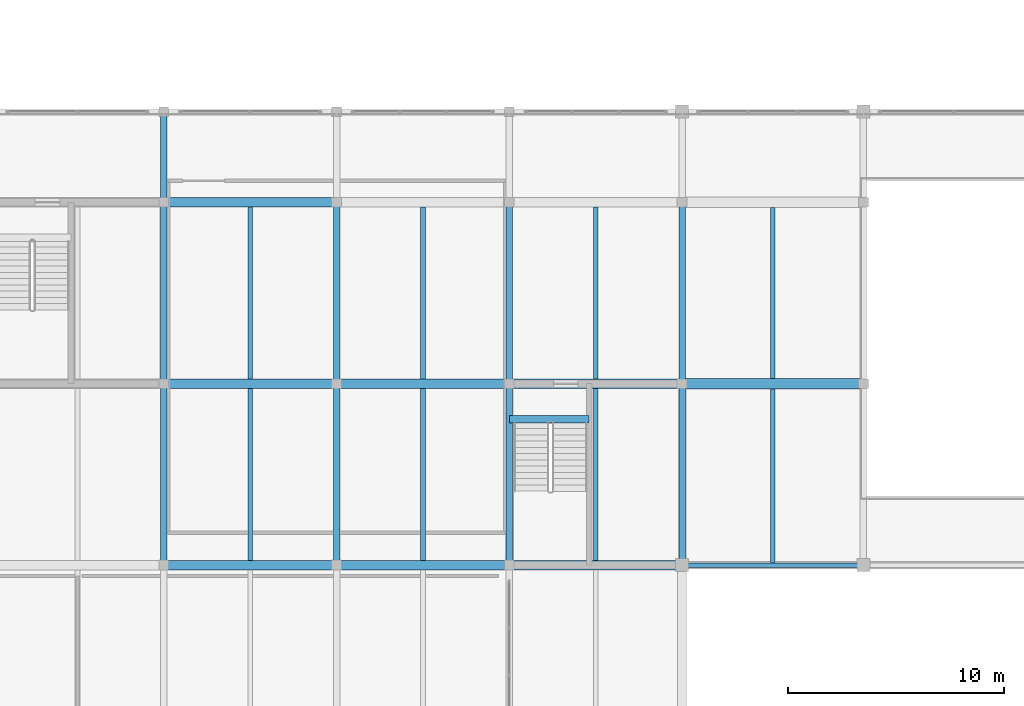
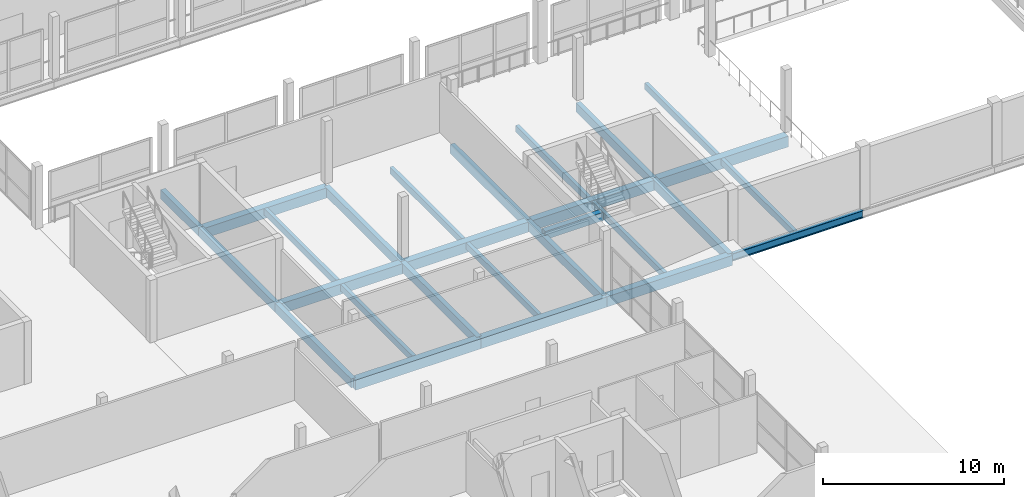
# One storey, part 21 of 53: 27 beams.
"""IFC4 building model written with IfcOpenShell, lengths in metres."""

from ifc_helpers import new_model, si_unit, direction, frame, origin, origin_2d, place, context, subcontext, project, spatial, rectangle, i_section, extrude, material, material_profile, profile_set, type_object, element, save


model = new_model("IFC4")

# Units and contexts
model_context = context("Model", 3, precision=1e-05, world=origin(), true_north=direction((0.0, 1.0)))
body_context = subcontext(model_context, "Body", "Model", "MODEL_VIEW")
ifc_project = project(units=[si_unit("LENGTHUNIT", "METRE"), si_unit("AREAUNIT", "SQUARE_METRE"), si_unit("VOLUMEUNIT", "CUBIC_METRE"), si_unit("PLANEANGLEUNIT", "RADIAN"), si_unit("MASSUNIT", "GRAM", prefix="KILO")], contexts=[model_context])

# Site, building, storey
site_placement = place(None, origin())
site = spatial("IfcSite", under=ifc_project, at=site_placement, CompositionType="ELEMENT")
building_placement = place(site_placement, origin())
building = spatial("IfcBuilding", under=site, at=building_placement, Name="Vharandega Faculty of Natural Sciences", CompositionType="ELEMENT")
storey_placement = place(building_placement, frame((0.0, 0.0, 10.199951171875)))
storey = spatial("IfcBuildingStorey", under=building, at=storey_placement, Name="L02", CompositionType="ELEMENT", Elevation=10.199951171875)

# Beams
ifc_material_1 = material(Name="Glulam GL28h", Category="wood")
ifc_material_profile_1 = material_profile(ifc_material_1, rectangle(XDim=0.300048828125, YDim=0.60009765625, at=origin_2d()), Name="GL28h 300x600")
ifc_profile_set_1 = profile_set([ifc_material_profile_1], Name="Glulam GL28h")
beam_type_1 = type_object("IfcBeamType", Name="Glulam Floor Beam 300x600", PredefinedType="BEAM", material=ifc_profile_set_1)
beam_1_placement = place(storey_placement, frame((32.0, 64.0, -0.579833984375), z_axis=(0.0, 1.0, 0.0), x_axis=(-1.0, 0.0, 0.0)))
element("IfcBeam", 1, at=beam_1_placement, inside=storey, type_object=beam_type_1, Name="Beam L02 5/J-K", PredefinedType="BEAM", context=body_context, shape_type="SweptSolid", body=[
    extrude(rectangle(XDim=0.300048828125, YDim=0.60009765625, at=origin_2d()), origin(), (0.0, 0.0, 1.0), 8.39990234375),
])
beam_2_placement = place(storey_placement, frame((32.0, 72.39990234375, -0.579833984375), z_axis=(0.0, 1.0, 0.0), x_axis=(-1.0, 0.0, 0.0)))
element("IfcBeam", 2, at=beam_2_placement, inside=storey, type_object=beam_type_1, Name="Beam L02 5/K-L", PredefinedType="BEAM", context=body_context, shape_type="SweptSolid", body=[
    extrude(rectangle(XDim=0.300048828125, YDim=0.60009765625, at=origin_2d()), origin(), (0.0, 0.0, 1.0), 8.400146484375),
])
beam_3_placement = place(storey_placement, frame((32.0, 80.800048828125, -0.579833984375), z_axis=(0.0, 1.0, 0.0), x_axis=(-1.0, 0.0, 0.0)))
element("IfcBeam", 3, at=beam_3_placement, inside=storey, type_object=beam_type_1, Name="Beam L02 5/L-M", PredefinedType="BEAM", context=body_context, shape_type="SweptSolid", body=[
    extrude(rectangle(XDim=0.300048828125, YDim=0.60009765625, at=origin_2d()), origin(), (0.0, 0.0, 1.0), 4.199951171875),
])
beam_4_placement = place(storey_placement, frame((40.0, 64.0, -0.579833984375), z_axis=(0.0, 1.0, 0.0), x_axis=(-1.0, 0.0, 0.0)))
element("IfcBeam", 4, at=beam_4_placement, inside=storey, type_object=beam_type_1, Name="Beam L02 6/J-K", PredefinedType="BEAM", context=body_context, shape_type="SweptSolid", body=[
    extrude(rectangle(XDim=0.300048828125, YDim=0.60009765625, at=origin_2d()), origin(), (0.0, 0.0, 1.0), 8.39990234375),
])
beam_5_placement = place(storey_placement, frame((40.0, 72.39990234375, -0.579833984375), z_axis=(0.0, 1.0, 0.0), x_axis=(-1.0, 0.0, 0.0)))
element("IfcBeam", 5, at=beam_5_placement, inside=storey, type_object=beam_type_1, Name="Beam L02 6/K-L", PredefinedType="BEAM", context=body_context, shape_type="SweptSolid", body=[
    extrude(rectangle(XDim=0.300048828125, YDim=0.60009765625, at=origin_2d()), origin(), (0.0, 0.0, 1.0), 8.400146484375),
])
beam_6_placement = place(storey_placement, frame((48.0, 64.0, -0.579833984375), z_axis=(0.0, 1.0, 0.0), x_axis=(-1.0, 0.0, 0.0)))
element("IfcBeam", 6, at=beam_6_placement, inside=storey, type_object=beam_type_1, Name="Beam L02 7/J-K", PredefinedType="BEAM", context=body_context, shape_type="SweptSolid", body=[
    extrude(rectangle(XDim=0.300048828125, YDim=0.60009765625, at=origin_2d()), origin(), (0.0, 0.0, 1.0), 8.39990234375),
])
beam_7_placement = place(storey_placement, frame((48.0, 72.39990234375, -0.579833984375), z_axis=(0.0, 1.0, 0.0), x_axis=(-1.0, 0.0, 0.0)))
element("IfcBeam", 7, at=beam_7_placement, inside=storey, type_object=beam_type_1, Name="Beam L02 7/K-L", PredefinedType="BEAM", context=body_context, shape_type="SweptSolid", body=[
    extrude(rectangle(XDim=0.300048828125, YDim=0.60009765625, at=origin_2d()), origin(), (0.0, 0.0, 1.0), 8.400146484375),
])
beam_8_placement = place(storey_placement, frame((56.0, 64.0, -0.579833984375), z_axis=(0.0, 1.0, 0.0), x_axis=(-1.0, 0.0, 0.0)))
element("IfcBeam", 8, at=beam_8_placement, inside=storey, type_object=beam_type_1, Name="Beam L02 8/J-K", PredefinedType="BEAM", context=body_context, shape_type="SweptSolid", body=[
    extrude(rectangle(XDim=0.300048828125, YDim=0.60009765625, at=origin_2d()), origin(), (0.0, 0.0, 1.0), 8.39990234375),
])
beam_9_placement = place(storey_placement, frame((56.0, 72.39990234375, -0.579833984375), z_axis=(0.0, 1.0, 0.0), x_axis=(-1.0, 0.0, 0.0)))
element("IfcBeam", 9, at=beam_9_placement, inside=storey, type_object=beam_type_1, Name="Beam L02 8/K-L", PredefinedType="BEAM", context=body_context, shape_type="SweptSolid", body=[
    extrude(rectangle(XDim=0.300048828125, YDim=0.60009765625, at=origin_2d()), origin(), (0.0, 0.0, 1.0), 8.400146484375),
])
ifc_material_2 = material(Name="Glulam GL32h", Category="wood")
ifc_material_profile_2 = material_profile(ifc_material_2, rectangle(XDim=0.43994140625, YDim=0.679931640625, at=origin_2d()), Name="GL32h 440x680")
ifc_profile_set_2 = profile_set([ifc_material_profile_2], Name="Glulam GL32h")
beam_type_2 = type_object("IfcBeamType", Name="Glulam Girder 440x680", PredefinedType="BEAM", material=ifc_profile_set_2)
for number, where, z_axis, x_axis, name in (
    (10, (32.0, 64.0, -0.619873046875), (1.0, 0.0, 0.0), (0.0, 1.0, 0.0), "Beam L02 J/5-6"),
    (11, (40.0, 64.0, -0.619873046875), (1.0, 0.0, 0.0), (0.0, 1.0, 0.0), "Beam L02 J/6-7"),
    (12, (48.0, 64.0, -0.619873046875), (1.0, 0.0, 0.0), (0.0, 1.0, 0.0), "Beam L02 J/7-8"),
    (13, (32.0, 72.39990234375, -0.619873046875), (1.0, 0.0, 0.0), (0.0, 1.0, 0.0), "Beam L02 K/5-6"),
    (14, (40.0, 72.39990234375, -0.619873046875), (1.0, 0.0, 0.0), (0.0, 1.0, 0.0), "Beam L02 K/6-7"),
    (15, (48.0, 72.39990234375, -0.619873046875), (1.0, 0.0, 0.0), (0.0, 1.0, 0.0), "Beam L02 K/7-8"),
    (16, (32.0, 80.800048828125, -0.619873046875), (1.0, 0.0, 0.0), (0.0, 1.0, 0.0), "Beam L02 L/5-6"),
):
    element("IfcBeam", number, at=place(storey_placement, frame(where, z_axis=z_axis, x_axis=x_axis)), inside=storey, type_object=beam_type_2, Name=name, PredefinedType="BEAM", context=body_context, shape_type="SweptSolid", body=[
        extrude(rectangle(XDim=0.43994140625, YDim=0.679931640625, at=origin_2d()), origin(), (0.0, 0.0, 1.0), 8.0),
    ])
ifc_material_3 = material(Name="Glulam GL32h", Category="wood")
ifc_material_profile_3 = material_profile(ifc_material_3, rectangle(XDim=0.47998046875, YDim=0.719970703125, at=origin_2d()), Name="GL32h 480x720")
ifc_profile_set_3 = profile_set([ifc_material_profile_3], Name="Glulam GL32h")
beam_type_3 = type_object("IfcBeamType", Name="Glulam Primary Girder 480x720", PredefinedType="BEAM", material=ifc_profile_set_3)
beam_10_placement = place(storey_placement, frame((56.0, 72.39990234375, -0.639892578125), z_axis=(1.0, 0.0, 0.0), x_axis=(0.0, 1.0, 0.0)))
element("IfcBeam", 17, at=beam_10_placement, inside=storey, type_object=beam_type_3, Name="Beam L02 K/8-9", PredefinedType="BEAM", context=body_context, shape_type="SweptSolid", body=[
    extrude(rectangle(XDim=0.47998046875, YDim=0.719970703125, at=origin_2d()), origin(), (0.0, 0.0, 1.0), 8.39990234375),
])
ifc_material_4 = material(Name="Glulam GL28h", Category="wood")
ifc_material_profile_4 = material_profile(ifc_material_4, rectangle(XDim=0.219970703125, YDim=0.43994140625, at=origin_2d()), Name="GL28h 220x440")
ifc_profile_set_4 = profile_set([ifc_material_profile_4], Name="Glulam GL28h")
beam_type_4 = type_object("IfcBeamType", Name="Glulam Secondary Joist 220x440", PredefinedType="JOIST", material=ifc_profile_set_4)
for number, where, z_axis, x_axis, name in (
    (18, (36.0, 64.219970703125, -0.5), (0.0, 1.0, 0.0), (-1.0, 0.0, 0.0), "Secondary Joist L02 5-6/J-K"),
    (19, (36.0, 72.6201171875, -0.5), (0.0, 1.0, 0.0), (-1.0, 0.0, 0.0), "Secondary Joist L02 5-6/K-L"),
    (20, (44.0, 64.219970703125, -0.5), (0.0, 1.0, 0.0), (-1.0, 0.0, 0.0), "Secondary Joist L02 6-7/J-K"),
    (21, (44.0, 72.6201171875, -0.5), (0.0, 1.0, 0.0), (-1.0, 0.0, 0.0), "Secondary Joist L02 6-7/K-L"),
    (22, (52.0, 64.219970703125, -0.5), (0.0, 1.0, 0.0), (-1.0, 0.0, 0.0), "Secondary Joist L02 7-8/J-K"),
    (23, (52.0, 72.6201171875, -0.5), (0.0, 1.0, 0.0), (-1.0, 0.0, 0.0), "Secondary Joist L02 7-8/K-L"),
):
    element("IfcBeam", number, at=place(storey_placement, frame(where, z_axis=z_axis, x_axis=x_axis)), inside=storey, type_object=beam_type_4, Name=name, PredefinedType="JOIST", context=body_context, shape_type="SweptSolid", body=[
        extrude(rectangle(XDim=0.219970703125, YDim=0.43994140625, at=origin_2d()), origin(), (0.0, 0.0, 1.0), 7.9599609375),
    ])
beam_11_placement = place(storey_placement, frame((60.199951171875, 64.10009765625, -0.5), z_axis=(0.0, 1.0, 0.0), x_axis=(-1.0, 0.0, 0.0)))
element("IfcBeam", 24, at=beam_11_placement, inside=storey, type_object=beam_type_4, Name="Secondary Joist L02 8-9/J-K", PredefinedType="JOIST", context=body_context, shape_type="SweptSolid", body=[
    extrude(rectangle(XDim=0.219970703125, YDim=0.43994140625, at=origin_2d()), origin(), (0.0, 0.0, 1.0), 8.059814453125),
])
beam_12_placement = place(storey_placement, frame((60.199951171875, 72.639892578125, -0.5), z_axis=(0.0, 1.0, 0.0), x_axis=(-1.0, 0.0, 0.0)))
element("IfcBeam", 25, at=beam_12_placement, inside=storey, type_object=beam_type_4, Name="Secondary Joist L02 8-9/K-L", PredefinedType="JOIST", context=body_context, shape_type="SweptSolid", body=[
    extrude(rectangle(XDim=0.219970703125, YDim=0.43994140625, at=origin_2d()), origin(), (0.0, 0.0, 1.0), 7.920166015625),
])
ifc_material_5 = material(Name="Concrete C40/50", Category="concrete")
ifc_material_profile_5 = material_profile(ifc_material_5, rectangle(XDim=0.35009765625, YDim=0.550048828125, at=origin_2d()), Name="RC 350x550")
ifc_profile_set_5 = profile_set([ifc_material_profile_5], Name="Concrete C40/50")
beam_type_5 = type_object("IfcBeamType", Name="Stair Header Trimmer Beam 350x550", PredefinedType="BEAM", material=ifc_profile_set_5)
beam_13_placement = place(storey_placement, frame((48.0, 70.75, -0.27490234375), z_axis=(1.0, 0.0, 0.0), x_axis=(0.0, 1.0, 0.0)))
element("IfcBeam", 26, at=beam_13_placement, inside=storey, type_object=beam_type_5, Name="Stair Landing Trimmer Beam C5 L02", PredefinedType="BEAM", context=body_context, shape_type="SweptSolid", body=[
    extrude(rectangle(XDim=0.35009765625, YDim=0.550048828125, at=origin_2d()), origin(), (0.0, 0.0, 1.0), 3.699951171875),
])
ifc_material_6 = material(Name="Steel S355", Category="steel")
ifc_material_profile_6 = material_profile(ifc_material_6, i_section(OverallWidth=0.199951171875, OverallDepth=0.5, WebThickness=0.01025390625, FlangeThickness=0.01611328125, FilletRadius=0.02099609375, at=origin_2d()), Name="IPE 500")
ifc_profile_set_6 = profile_set([ifc_material_profile_6], Name="Steel S355")
beam_type_6 = type_object("IfcBeamType", Name="Steel Spandrel Beam IPE 500", PredefinedType="SPANDREL", material=ifc_profile_set_6)
beam_14_placement = place(storey_placement, frame((56.0, 64.0, -0.530029296875), z_axis=(1.0, 0.0, 0.0), x_axis=(0.0, 1.0, 0.0)))
element("IfcBeam", 27, at=beam_14_placement, inside=storey, type_object=beam_type_6, Name="Beam L02 J/8-9", PredefinedType="SPANDREL", context=body_context, shape_type="SweptSolid", body=[
    extrude(i_section(OverallWidth=0.199951171875, OverallDepth=0.5, WebThickness=0.01025390625, FlangeThickness=0.01611328125, FilletRadius=0.02099609375, at=origin_2d()), origin(), (0.0, 0.0, 1.0), 8.39990234375),
])

save(model, "model.ifc")
